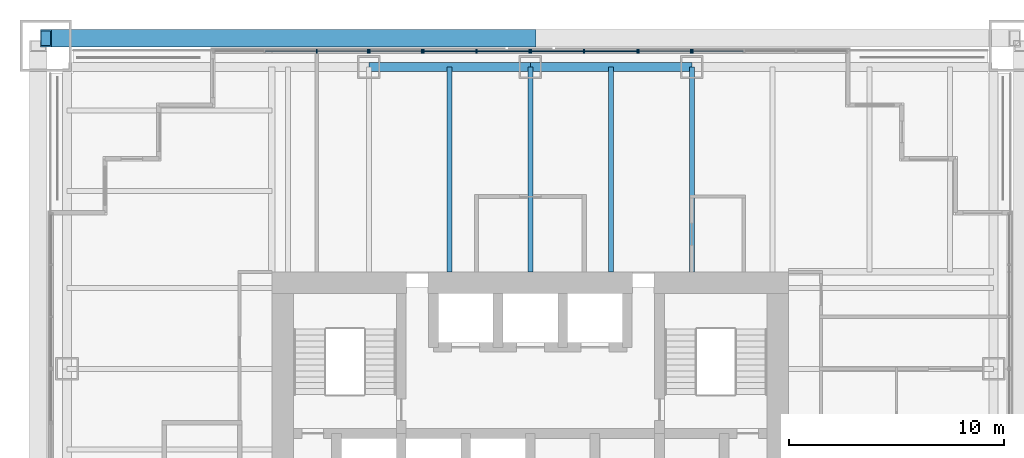
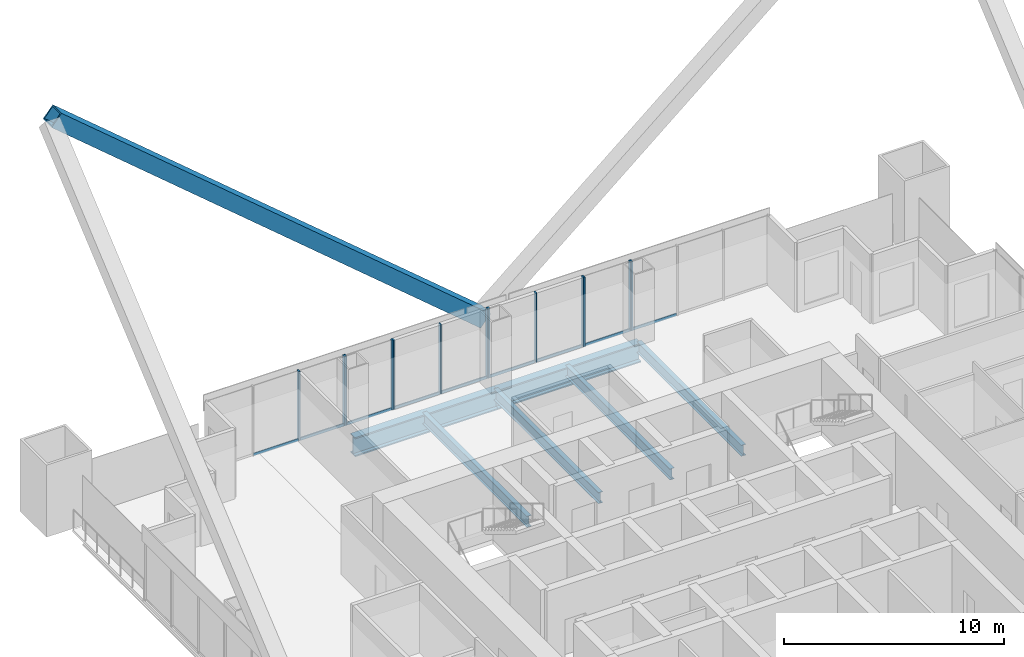
# One storey, part 10 of 19: 23 members, 6 beams, 6 elements without a shape of their own.
"""IFC4 building model written with IfcOpenShell, lengths in metres."""

from ifc_helpers import new_model, si_unit, direction, frame, origin, origin_2d, place, context, subcontext, project, spatial, rectangle, hollow_rectangle, i_section, extrude, material, material_profile, profile_set, type_object, element, aggregate, save


model = new_model("IFC4")

# Units and contexts
model_context = context("Model", 3, precision=1e-05, world=origin(), true_north=direction((0.0, 1.0)))
body_context = subcontext(model_context, "Body", "Model", "MODEL_VIEW")
ifc_project = project(units=[si_unit("LENGTHUNIT", "METRE"), si_unit("AREAUNIT", "SQUARE_METRE"), si_unit("VOLUMEUNIT", "CUBIC_METRE"), si_unit("PLANEANGLEUNIT", "RADIAN"), si_unit("MASSUNIT", "GRAM", prefix="KILO")], contexts=[model_context])

# Site, building, storey
site_placement = place(None, origin())
site = spatial("IfcSite", under=ifc_project, at=site_placement, CompositionType="ELEMENT")
building_placement = place(site_placement, origin())
building = spatial("IfcBuilding", under=site, at=building_placement, Name="Tarangal Relay Tower", CompositionType="ELEMENT")
storey_placement = place(building_placement, frame((0.0, 0.0, 193.89990234375)))
storey = spatial("IfcBuildingStorey", under=building, at=storey_placement, Name="L40", CompositionType="ELEMENT", Elevation=193.89990234375)

# Beams
ifc_material_1 = material(Name="Steel ASTM A992", Category="steel")
ifc_material_profile_1 = material_profile(ifc_material_1, i_section(OverallWidth=0.41650390625, OverallDepth=1.0693359375, WebThickness=0.0390625, FlangeThickness=0.070068359375, at=origin_2d()), Name="W40X503")
ifc_profile_set_1 = profile_set([ifc_material_profile_1], Name="Steel ASTM A992")
beam_type_1 = type_object("IfcBeamType", Name="Edge girder W40X503", PredefinedType="SPANDREL", material=ifc_profile_set_1)
for number, where, z_axis, x_axis, name in (
    (1, (-7.5, 21.514892578125, -0.6845703125), (1.0, 0.0, 0.0), (0.0, 1.0, 0.0), "Edge girder EG8 N L40"),
    (2, (0.0, 21.514892578125, -0.6845703125), (1.0, 0.0, 0.0), (0.0, 1.0, 0.0), "Edge girder EG8 N L40"),
):
    element("IfcBeam", number, at=place(storey_placement, frame(where, z_axis=z_axis, x_axis=x_axis)), inside=storey, type_object=beam_type_1, Name=name, PredefinedType="SPANDREL", context=body_context, shape_type="SweptSolid", body=[
        extrude(i_section(OverallWidth=0.41650390625, OverallDepth=1.0693359375, WebThickness=0.0390625, FlangeThickness=0.070068359375, at=origin_2d()), origin(), (0.0, 0.0, 1.0), 7.5),
    ])
ifc_material_profile_2 = material_profile(ifc_material_1, i_section(OverallWidth=0.22900390625, OverallDepth=0.612060546875, WebThickness=0.011962890625, FlangeThickness=0.01953125, at=origin_2d()), Name="W24X84")
ifc_profile_set_2 = profile_set([ifc_material_profile_2], Name="Steel ASTM A992")
beam_type_2 = type_object("IfcBeamType", Name="Floor beam W24X84", PredefinedType="BEAM", material=ifc_profile_set_2)
for number, where, z_axis, x_axis, name in (
    (3, (-3.75, 12.0, -0.455810546875), (0.0, 1.0, 0.0), (-1.0, 0.0, 0.0), "Floor beam RB12 N L40"),
    (4, (0.0, 12.0, -0.455810546875), (0.0, 1.0, 0.0), (-1.0, 0.0, 0.0), "Floor beam RB12 N L40"),
    (5, (3.75, 12.0, -0.455810546875), (0.0, 1.0, 0.0), (-1.0, 0.0, 0.0), "Floor beam RB12 N L40"),
    (6, (7.5, 12.0, -0.455810546875), (0.0, 1.0, 0.0), (-1.0, 0.0, 0.0), "Floor beam RB12 N L40"),
):
    element("IfcBeam", number, at=place(storey_placement, frame(where, z_axis=z_axis, x_axis=x_axis)), inside=storey, type_object=beam_type_2, Name=name, PredefinedType="BEAM", context=body_context, shape_type="SweptSolid", body=[
        extrude(i_section(OverallWidth=0.22900390625, OverallDepth=0.612060546875, WebThickness=0.011962890625, FlangeThickness=0.01953125, at=origin_2d()), origin(), (0.0, 0.0, 1.0), 9.514892578125),
    ])

# Member
ifc_material_2 = material(Name="Steel ASTM A572 Grade 50", Category="steel")
ifc_material_profile_3 = material_profile(ifc_material_2, hollow_rectangle(XDim=0.800048828125, YDim=0.800048828125, WallThickness=0.06494140625, at=origin_2d()), Name="BOX800X800X65")
ifc_profile_set_3 = profile_set([ifc_material_profile_3], Name="Steel ASTM A572 Grade 50")
member_type_1 = type_object("IfcMemberType", Name="Mega brace BOX800X800X65", PredefinedType="BRACE", material=ifc_profile_set_3)
member_1_placement = place(storey_placement, frame((0.0, 22.85009765625, 3.0), z_axis=(-0.764029915847, 0.0, 0.645180817826), x_axis=(0.0, -1.0, 0.0)))
element("IfcMember", 7, at=member_1_placement, inside=storey, type_object=member_type_1, Name="Mega brace MB3 N face module 1", PredefinedType="BRACE", context=body_context, shape_type="SweptSolid", body=[
    extrude(hollow_rectangle(XDim=0.800048828125, YDim=0.800048828125, WallThickness=0.06494140625, at=origin_2d()), origin(), (0.0, 0.0, 1.0), 29.44921875),
])

# Curtain wall, members
ifc_material_3 = material(Name="Unitised curtain wall, dark glass and black aluminium", Category="aluminium")
curtain_wall_type_1 = type_object("IfcCurtainWallType", Name="Curtain wall CW-A", PredefinedType="USERDEFINED", material=ifc_material_3)
curtain_wall_1_placement = place(storey_placement, origin())
curtain_wall_1 = element("IfcCurtainWall", 8, at=curtain_wall_1_placement, inside=storey, type_object=curtain_wall_type_1, Name="Curtain wall CW-A N facade L40", ObjectType="UNITISED CURTAIN WALL", PredefinedType="USERDEFINED")
ifc_material_4 = material(Name="Black anodised aluminium mullion", Category="aluminium")
ifc_material_profile_4 = material_profile(ifc_material_4, rectangle(XDim=0.175048828125, YDim=0.06494140625, at=origin_2d()), Name="CW-AM 65X175")
ifc_profile_set_4 = profile_set([ifc_material_profile_4], Name="Black anodised aluminium mullion")
member_type_2 = type_object("IfcMemberType", Name="Mullion CW-A 65 x 175", PredefinedType="MULLION", material=ifc_profile_set_4)
member_2_placement = place(storey_placement, frame((-9.916748046875, 22.25, 0.0), z_axis=(0.0, 0.0, 1.0), x_axis=(0.0, 1.0, 0.0)))
member_2 = element("IfcMember", 9, at=member_2_placement, type_object=member_type_2, Name="CW-A mullion 3", PredefinedType="MULLION", context=body_context, shape_type="SweptSolid", body=[
    extrude(rectangle(XDim=0.175048828125, YDim=0.06494140625, at=origin_2d()), origin(), (0.0, 0.0, 1.0), 3.85009765625),
])
member_3_placement = place(storey_placement, frame((-7.532470703125, 22.25, 0.0), z_axis=(0.0, 0.0, 1.0), x_axis=(0.0, 1.0, 0.0)))
member_3 = element("IfcMember", 10, at=member_3_placement, type_object=member_type_2, Name="CW-A mullion 4", PredefinedType="MULLION", context=body_context, shape_type="SweptSolid", body=[
    extrude(rectangle(XDim=0.175048828125, YDim=0.06494140625, at=origin_2d()), origin(), (0.0, 0.0, 1.0), 3.85009765625),
])

curtain_wall_2_placement = place(storey_placement, origin())
curtain_wall_2 = element("IfcCurtainWall", 11, at=curtain_wall_2_placement, inside=storey, type_object=curtain_wall_type_1, Name="Curtain wall CW-A N facade L40", ObjectType="UNITISED CURTAIN WALL", PredefinedType="USERDEFINED")
member_4_placement = place(storey_placement, frame((-7.467529296875, 22.25, 0.0), z_axis=(0.0, 0.0, 1.0), x_axis=(0.0, 1.0, 0.0)))
member_4 = element("IfcMember", 12, at=member_4_placement, type_object=member_type_2, Name="CW-A mullion 1", PredefinedType="MULLION", context=body_context, shape_type="SweptSolid", body=[
    extrude(rectangle(XDim=0.175048828125, YDim=0.06494140625, at=origin_2d()), origin(), (0.0, 0.0, 1.0), 3.85009765625),
])
member_5_placement = place(storey_placement, frame((-5.032470703125, 22.25, 0.0), z_axis=(0.0, 0.0, 1.0), x_axis=(0.0, 1.0, 0.0)))
member_5 = element("IfcMember", 13, at=member_5_placement, type_object=member_type_2, Name="CW-A mullion 2", PredefinedType="MULLION", context=body_context, shape_type="SweptSolid", body=[
    extrude(rectangle(XDim=0.175048828125, YDim=0.06494140625, at=origin_2d()), origin(), (0.0, 0.0, 1.0), 3.85009765625),
])

curtain_wall_3_placement = place(storey_placement, origin())
curtain_wall_3 = element("IfcCurtainWall", 14, at=curtain_wall_3_placement, inside=storey, type_object=curtain_wall_type_1, Name="Curtain wall CW-A N facade L40", ObjectType="UNITISED CURTAIN WALL", PredefinedType="USERDEFINED")
member_6_placement = place(storey_placement, frame((5.032470703125, 22.25, 0.0), z_axis=(0.0, 0.0, 1.0), x_axis=(0.0, 1.0, 0.0)))
member_6 = element("IfcMember", 15, at=member_6_placement, type_object=member_type_2, Name="CW-A mullion 1", PredefinedType="MULLION", context=body_context, shape_type="SweptSolid", body=[
    extrude(rectangle(XDim=0.175048828125, YDim=0.06494140625, at=origin_2d()), origin(), (0.0, 0.0, 1.0), 3.85009765625),
])
member_7_placement = place(storey_placement, frame((7.467529296875, 22.25, 0.0), z_axis=(0.0, 0.0, 1.0), x_axis=(0.0, 1.0, 0.0)))
member_7 = element("IfcMember", 16, at=member_7_placement, type_object=member_type_2, Name="CW-A mullion 2", PredefinedType="MULLION", context=body_context, shape_type="SweptSolid", body=[
    extrude(rectangle(XDim=0.175048828125, YDim=0.06494140625, at=origin_2d()), origin(), (0.0, 0.0, 1.0), 3.85009765625),
])

# Curtain wall, member
curtain_wall_4_placement = place(storey_placement, origin())
curtain_wall_4 = element("IfcCurtainWall", 17, at=curtain_wall_4_placement, inside=storey, type_object=curtain_wall_type_1, Name="Curtain wall CW-A N facade L40", ObjectType="UNITISED CURTAIN WALL", PredefinedType="USERDEFINED")
member_8_placement = place(storey_placement, frame((7.532470703125, 22.25, 0.0), z_axis=(0.0, 0.0, 1.0), x_axis=(0.0, 1.0, 0.0)))
member_8 = element("IfcMember", 18, at=member_8_placement, type_object=member_type_2, Name="CW-A mullion 1", PredefinedType="MULLION", context=body_context, shape_type="SweptSolid", body=[
    extrude(rectangle(XDim=0.175048828125, YDim=0.06494140625, at=origin_2d()), origin(), (0.0, 0.0, 1.0), 3.85009765625),
])

# Curtain wall, members
ifc_material_5 = material(Name="Unitised curtain wall frame, black aluminium, with metal clad infill walls", Category="aluminium")
curtain_wall_type_2 = type_object("IfcCurtainWallType", Name="Curtain wall CW-AO", PredefinedType="USERDEFINED", material=ifc_material_5)
curtain_wall_5_placement = place(storey_placement, origin())
curtain_wall_5 = element("IfcCurtainWall", 19, at=curtain_wall_5_placement, inside=storey, type_object=curtain_wall_type_2, Name="Curtain wall CW-AO N facade L40", ObjectType="UNITISED CURTAIN WALL", PredefinedType="USERDEFINED")
ifc_material_profile_5 = material_profile(ifc_material_4, rectangle(XDim=0.175048828125, YDim=0.06494140625, at=origin_2d()), Name="CW-AOM 65X175")
ifc_profile_set_5 = profile_set([ifc_material_profile_5], Name="Black anodised aluminium mullion")
member_type_3 = type_object("IfcMemberType", Name="Mullion CW-AO 65 x 175", PredefinedType="MULLION", material=ifc_profile_set_5)
member_9_placement = place(storey_placement, frame((-4.967529296875, 22.25, 0.0), z_axis=(0.0, 0.0, 1.0), x_axis=(0.0, 1.0, 0.0)))
member_9 = element("IfcMember", 20, at=member_9_placement, type_object=member_type_3, Name="CW-AO mullion 1", PredefinedType="MULLION", context=body_context, shape_type="SweptSolid", body=[
    extrude(rectangle(XDim=0.175048828125, YDim=0.06494140625, at=origin_2d()), origin(), (0.0, 0.0, 1.0), 3.85009765625),
])
member_10_placement = place(storey_placement, frame((-2.5, 22.25, 0.0), z_axis=(0.0, 0.0, 1.0), x_axis=(0.0, 1.0, 0.0)))
member_10 = element("IfcMember", 21, at=member_10_placement, type_object=member_type_3, Name="CW-AO mullion 2", PredefinedType="MULLION", context=body_context, shape_type="SweptSolid", body=[
    extrude(rectangle(XDim=0.175048828125, YDim=0.06494140625, at=origin_2d()), origin(), (0.0, 0.0, 1.0), 3.85009765625),
])
member_11_placement = place(storey_placement, frame((-0.032470703125, 22.25, 0.0), z_axis=(0.0, 0.0, 1.0), x_axis=(0.0, 1.0, 0.0)))
member_11 = element("IfcMember", 22, at=member_11_placement, type_object=member_type_3, Name="CW-AO mullion 3", PredefinedType="MULLION", context=body_context, shape_type="SweptSolid", body=[
    extrude(rectangle(XDim=0.175048828125, YDim=0.06494140625, at=origin_2d()), origin(), (0.0, 0.0, 1.0), 3.85009765625),
])

curtain_wall_6_placement = place(storey_placement, origin())
curtain_wall_6 = element("IfcCurtainWall", 23, at=curtain_wall_6_placement, inside=storey, type_object=curtain_wall_type_2, Name="Curtain wall CW-AO N facade L40", ObjectType="UNITISED CURTAIN WALL", PredefinedType="USERDEFINED")
member_12_placement = place(storey_placement, frame((0.032470703125, 22.25, 0.0), z_axis=(0.0, 0.0, 1.0), x_axis=(0.0, 1.0, 0.0)))
member_12 = element("IfcMember", 24, at=member_12_placement, type_object=member_type_3, Name="CW-AO mullion 1", PredefinedType="MULLION", context=body_context, shape_type="SweptSolid", body=[
    extrude(rectangle(XDim=0.175048828125, YDim=0.06494140625, at=origin_2d()), origin(), (0.0, 0.0, 1.0), 3.85009765625),
])
member_13_placement = place(storey_placement, frame((2.5, 22.25, 0.0), z_axis=(0.0, 0.0, 1.0), x_axis=(0.0, 1.0, 0.0)))
member_13 = element("IfcMember", 25, at=member_13_placement, type_object=member_type_3, Name="CW-AO mullion 2", PredefinedType="MULLION", context=body_context, shape_type="SweptSolid", body=[
    extrude(rectangle(XDim=0.175048828125, YDim=0.06494140625, at=origin_2d()), origin(), (0.0, 0.0, 1.0), 3.85009765625),
])
member_14_placement = place(storey_placement, frame((4.967529296875, 22.25, 0.0), z_axis=(0.0, 0.0, 1.0), x_axis=(0.0, 1.0, 0.0)))
member_14 = element("IfcMember", 26, at=member_14_placement, type_object=member_type_3, Name="CW-AO mullion 3", PredefinedType="MULLION", context=body_context, shape_type="SweptSolid", body=[
    extrude(rectangle(XDim=0.175048828125, YDim=0.06494140625, at=origin_2d()), origin(), (0.0, 0.0, 1.0), 3.85009765625),
])

# Member
ifc_material_6 = material(Name="Black anodised aluminium transom", Category="aluminium")
ifc_material_profile_6 = material_profile(ifc_material_6, rectangle(XDim=0.06494140625, YDim=0.14990234375, at=origin_2d()), Name="CW-AT 65X150")
ifc_profile_set_6 = profile_set([ifc_material_profile_6], Name="Black anodised aluminium transom")
member_type_4 = type_object("IfcMemberType", Name="Transom CW-A 65 x 150", PredefinedType="USERDEFINED", material=ifc_profile_set_6)
member_15_placement = place(storey_placement, frame((-12.30078125, 22.25, 0.03271484375), z_axis=(1.0, 0.0, 0.0), x_axis=(0.0, 1.0, 0.0)))
member_15 = element("IfcMember", 27, at=member_15_placement, type_object=member_type_4, Name="CW-A transom 2.1", ObjectType="TRANSOM", PredefinedType="USERDEFINED", context=body_context, shape_type="SweptSolid", body=[
    extrude(rectangle(XDim=0.06494140625, YDim=0.14990234375, at=origin_2d()), origin(), (0.0, 0.0, 1.0), 2.3515625),
])

member_16_placement = place(storey_placement, frame((-9.88427734375, 22.25, 0.03271484375), z_axis=(1.0, 0.0, 0.0), x_axis=(0.0, 1.0, 0.0)))
member_16 = element("IfcMember", 28, at=member_16_placement, type_object=member_type_4, Name="CW-A transom 3.1", ObjectType="TRANSOM", PredefinedType="USERDEFINED", context=body_context, shape_type="SweptSolid", body=[
    extrude(rectangle(XDim=0.06494140625, YDim=0.14990234375, at=origin_2d()), origin(), (0.0, 0.0, 1.0), 2.3193359375),
])

aggregate(curtain_wall_1, [member_2, member_3, member_15, member_16])

member_17_placement = place(storey_placement, frame((-7.43505859375, 22.25, 0.03271484375), z_axis=(1.0, 0.0, 0.0), x_axis=(0.0, 1.0, 0.0)))
member_17 = element("IfcMember", 29, at=member_17_placement, type_object=member_type_4, Name="CW-A transom 1.1", ObjectType="TRANSOM", PredefinedType="USERDEFINED", context=body_context, shape_type="SweptSolid", body=[
    extrude(rectangle(XDim=0.06494140625, YDim=0.14990234375, at=origin_2d()), origin(), (0.0, 0.0, 1.0), 2.3701171875),
])

aggregate(curtain_wall_2, [member_4, member_5, member_17])

member_18_placement = place(storey_placement, frame((5.06494140625, 22.25, 0.03271484375), z_axis=(1.0, 0.0, 0.0), x_axis=(0.0, 1.0, 0.0)))
member_18 = element("IfcMember", 30, at=member_18_placement, type_object=member_type_4, Name="CW-A transom 1.1", ObjectType="TRANSOM", PredefinedType="USERDEFINED", context=body_context, shape_type="SweptSolid", body=[
    extrude(rectangle(XDim=0.06494140625, YDim=0.14990234375, at=origin_2d()), origin(), (0.0, 0.0, 1.0), 2.3701171875),
])

aggregate(curtain_wall_3, [member_6, member_7, member_18])

member_19_placement = place(storey_placement, frame((7.56494140625, 22.25, 0.03271484375), z_axis=(1.0, 0.0, 0.0), x_axis=(0.0, 1.0, 0.0)))
member_19 = element("IfcMember", 31, at=member_19_placement, type_object=member_type_4, Name="CW-A transom 1.1", ObjectType="TRANSOM", PredefinedType="USERDEFINED", context=body_context, shape_type="SweptSolid", body=[
    extrude(rectangle(XDim=0.06494140625, YDim=0.14990234375, at=origin_2d()), origin(), (0.0, 0.0, 1.0), 2.3193359375),
])

aggregate(curtain_wall_4, [member_8, member_19])

ifc_material_profile_7 = material_profile(ifc_material_6, rectangle(XDim=0.06494140625, YDim=0.14990234375, at=origin_2d()), Name="CW-AOT 65X150")
ifc_profile_set_7 = profile_set([ifc_material_profile_7], Name="Black anodised aluminium transom")
member_type_5 = type_object("IfcMemberType", Name="Transom CW-AO 65 x 150", PredefinedType="USERDEFINED", material=ifc_profile_set_7)
member_20_placement = place(storey_placement, frame((-4.93505859375, 22.25, 0.03271484375), z_axis=(1.0, 0.0, 0.0), x_axis=(0.0, 1.0, 0.0)))
member_20 = element("IfcMember", 32, at=member_20_placement, type_object=member_type_5, Name="CW-AO transom 1.1", ObjectType="TRANSOM", PredefinedType="USERDEFINED", context=body_context, shape_type="SweptSolid", body=[
    extrude(rectangle(XDim=0.06494140625, YDim=0.14990234375, at=origin_2d()), origin(), (0.0, 0.0, 1.0), 2.402587890625),
])

member_21_placement = place(storey_placement, frame((-2.467529296875, 22.25, 0.03271484375), z_axis=(1.0, 0.0, 0.0), x_axis=(0.0, 1.0, 0.0)))
member_21 = element("IfcMember", 33, at=member_21_placement, type_object=member_type_5, Name="CW-AO transom 2.1", ObjectType="TRANSOM", PredefinedType="USERDEFINED", context=body_context, shape_type="SweptSolid", body=[
    extrude(rectangle(XDim=0.06494140625, YDim=0.14990234375, at=origin_2d()), origin(), (0.0, 0.0, 1.0), 2.402587890625),
])

aggregate(curtain_wall_5, [member_9, member_10, member_11, member_20, member_21])

member_22_placement = place(storey_placement, frame((0.06494140625, 22.25, 0.03271484375), z_axis=(1.0, 0.0, 0.0), x_axis=(0.0, 1.0, 0.0)))
member_22 = element("IfcMember", 34, at=member_22_placement, type_object=member_type_5, Name="CW-AO transom 1.1", ObjectType="TRANSOM", PredefinedType="USERDEFINED", context=body_context, shape_type="SweptSolid", body=[
    extrude(rectangle(XDim=0.06494140625, YDim=0.14990234375, at=origin_2d()), origin(), (0.0, 0.0, 1.0), 2.402587890625),
])

member_23_placement = place(storey_placement, frame((2.532470703125, 22.25, 0.03271484375), z_axis=(1.0, 0.0, 0.0), x_axis=(0.0, 1.0, 0.0)))
member_23 = element("IfcMember", 35, at=member_23_placement, type_object=member_type_5, Name="CW-AO transom 2.1", ObjectType="TRANSOM", PredefinedType="USERDEFINED", context=body_context, shape_type="SweptSolid", body=[
    extrude(rectangle(XDim=0.06494140625, YDim=0.14990234375, at=origin_2d()), origin(), (0.0, 0.0, 1.0), 2.402587890625),
])

aggregate(curtain_wall_6, [member_12, member_13, member_14, member_22, member_23])

save(model, "model.ifc")
